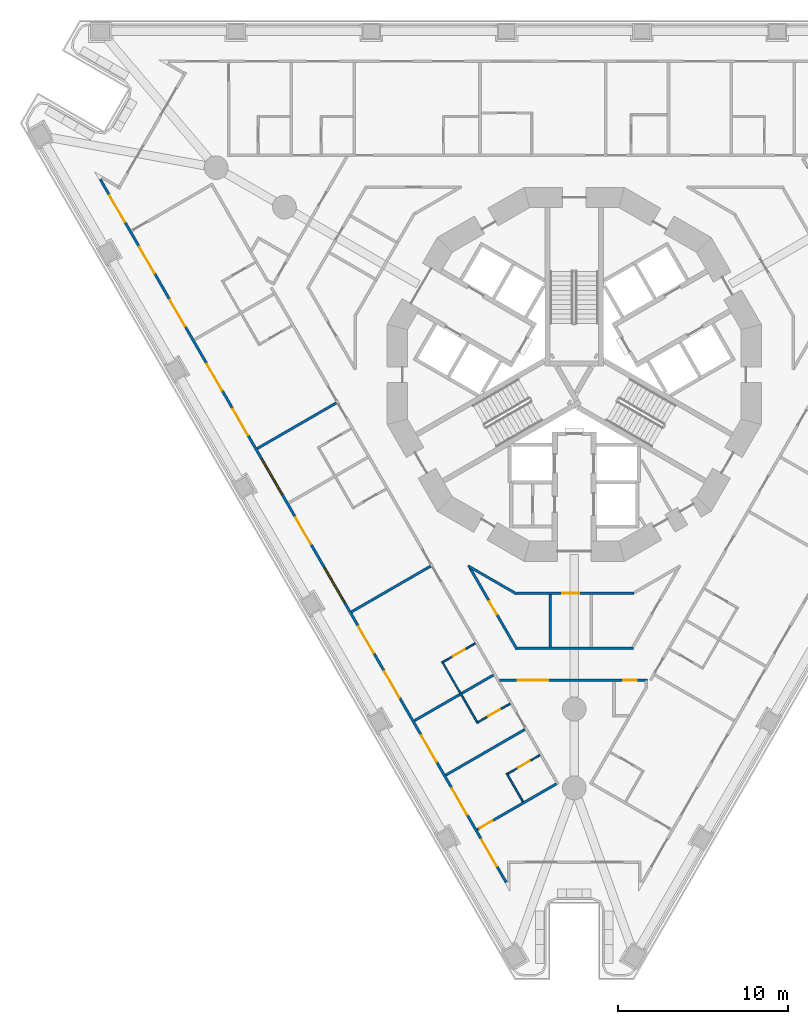
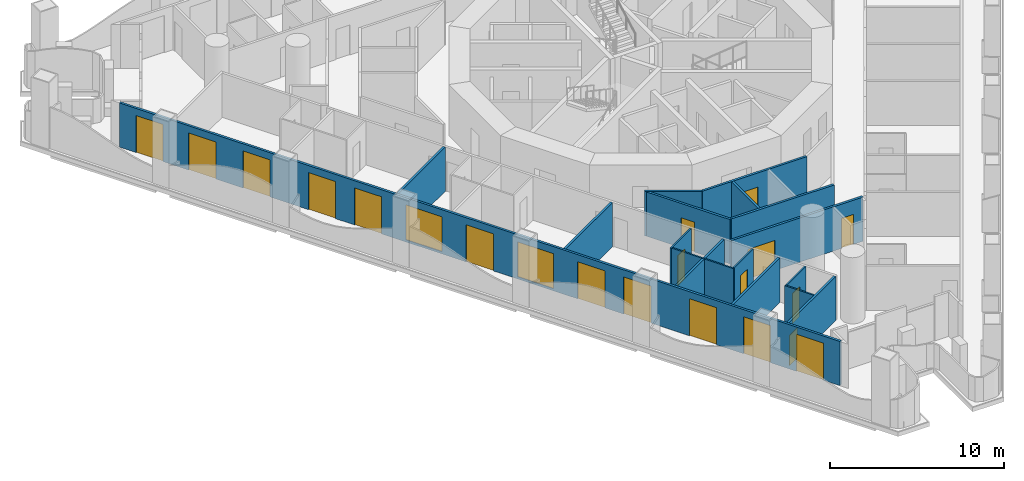
# One storey, part 2 of 19: 19 doors, 17 walls, 2 windows, 21 openings.
"""IFC4 building model written with IfcOpenShell, lengths in metres."""

from ifc_helpers import new_model, si_unit, direction, frame, frame_2d, origin, place, context, subcontext, project, spatial, polyline, rectangle, outline, extrude, material, layer, layer_set, type_object, element, fill, save


model = new_model("IFC4")

# Units and contexts
model_context = context("Model", 3, precision=1e-05, world=origin(), true_north=direction((0.0, 1.0)))
body_context = subcontext(model_context, "Body", "Model", "MODEL_VIEW")
ifc_project = project(units=[si_unit("LENGTHUNIT", "METRE"), si_unit("AREAUNIT", "SQUARE_METRE"), si_unit("VOLUMEUNIT", "CUBIC_METRE"), si_unit("PLANEANGLEUNIT", "RADIAN"), si_unit("MASSUNIT", "GRAM", prefix="KILO")], contexts=[model_context])

# Site, building, storey
site_placement = place(None, origin())
site = spatial("IfcSite", under=ifc_project, at=site_placement, CompositionType="ELEMENT")
building_placement = place(site_placement, origin())
building = spatial("IfcBuilding", under=site, at=building_placement, Name="Trine Commons Tower", CompositionType="ELEMENT")
storey_placement = place(building_placement, frame((0.0, 0.0, 42.300048828125)))
storey = spatial("IfcBuildingStorey", under=building, at=storey_placement, Name="L09", CompositionType="ELEMENT", Elevation=42.300048828125)

# Wall, openings, windows, doors
ifc_material_1 = material(Name="Aluminium-framed insulated wall panel", Category="aluminium")
ifc_layer_1 = layer(ifc_material_1, 0.14990234375)
ifc_layer_set_1 = layer_set([ifc_layer_1], Name="Aluminium-framed insulated wall panel")
wall_type_1 = type_object("IfcWallType", Name="Glazed frame wall 150, EI 60", PredefinedType="SOLIDWALL", material=ifc_layer_set_1)
wall_1_placement = place(storey_placement, frame((76.069580078125, 32.46826171875, 0.0), z_axis=(0.0, 0.0, 1.0), x_axis=(-0.499998600735, 0.866026211649, 0.0)))
wall_1 = element("IfcWall", 1, at=wall_1_placement, inside=storey, type_object=wall_type_1, Name="Glazed frame wall F3", PredefinedType="SOLIDWALL", context=body_context, shape_type="SweptSolid", body=[
    extrude(outline(polyline([(0.1494140625, 0.074951171875), (0.1494140625, -0.074951171875), (47.93701171875, -0.074951171875), (47.93701171875, 0.074951171875), (0.1494140625, 0.074951171875)])), origin(), (0.0, 0.0, 1.0), 3.099853515625),
])
opening_1_placement = place(wall_1_placement, frame((1.24951171875, 0.0, 0.0)))
opening_1 = element("IfcOpeningElement", 2, at=opening_1_placement, cuts=wall_1, Name="Opening BD-1F3-01", PredefinedType="OPENING", context=body_context, shape_type="SweptSolid", body=[
    extrude(rectangle(XDim=1.800048828125, YDim=2.60009765625, at=frame_2d((0.89990234375, 1.300048828125))), frame((0.0, 0.0849609375, 0.0), z_axis=(0.0, -1.0, 0.0), x_axis=(1.0, 0.0, 0.0)), (0.0, 0.0, 1.0), 0.169921875),
])
opening_2_placement = place(wall_1_placement, frame((4.748291015625, 0.0, 0.0)))
opening_2 = element("IfcOpeningElement", 3, at=opening_2_placement, cuts=wall_1, Name="Opening BD-1F3-02", PredefinedType="OPENING", context=body_context, shape_type="SweptSolid", body=[
    extrude(rectangle(XDim=1.800048828125, YDim=2.60009765625, at=frame_2d((0.89990234375, 1.300048828125))), frame((0.0, 0.0849609375, 0.0), z_axis=(0.0, -1.0, 0.0), x_axis=(1.0, 0.0, 0.0)), (0.0, 0.0, 1.0), 0.169921875),
])
opening_3_placement = place(wall_1_placement, frame((8.347412109375, 0.0, 0.0)))
opening_3 = element("IfcOpeningElement", 4, at=opening_3_placement, cuts=wall_1, Name="Opening BD-1F3-03", PredefinedType="OPENING", context=body_context, shape_type="SweptSolid", body=[
    extrude(rectangle(XDim=1.800048828125, YDim=2.60009765625, at=frame_2d((0.89990234375, 1.300048828125))), frame((0.0, 0.0849609375, 0.0), z_axis=(0.0, -1.0, 0.0), x_axis=(1.0, 0.0, 0.0)), (0.0, 0.0, 1.0), 0.169921875),
])
opening_4_placement = place(wall_1_placement, frame((12.69580078125, 0.0, 0.0)))
opening_4 = element("IfcOpeningElement", 5, at=opening_4_placement, cuts=wall_1, Name="Opening BD-1F3-04", PredefinedType="OPENING", context=body_context, shape_type="SweptSolid", body=[
    extrude(rectangle(XDim=1.800048828125, YDim=2.60009765625, at=frame_2d((0.89990234375, 1.300048828125))), frame((0.0, 0.0849609375, 0.0), z_axis=(0.0, -1.0, 0.0), x_axis=(1.0, 0.0, 0.0)), (0.0, 0.0, 1.0), 0.169921875),
])
opening_5_placement = place(wall_1_placement, frame((15.7451171875, 0.0, 0.0)))
opening_5 = element("IfcOpeningElement", 6, at=opening_5_placement, cuts=wall_1, Name="Opening BD-1F3-05", PredefinedType="OPENING", context=body_context, shape_type="SweptSolid", body=[
    extrude(rectangle(XDim=1.800048828125, YDim=2.60009765625, at=frame_2d((0.89990234375, 1.300048828125))), frame((0.0, 0.0849609375, 0.0), z_axis=(0.0, -1.0, 0.0), x_axis=(1.0, 0.0, 0.0)), (0.0, 0.0, 1.0), 0.169921875),
])
opening_6_placement = place(wall_1_placement, frame((19.14404296875, 0.0, 0.14990234375)))
opening_6 = element("IfcOpeningElement", 7, at=opening_6_placement, cuts=wall_1, Name="Opening W-1F3-06", PredefinedType="OPENING", context=body_context, shape_type="SweptSolid", body=[
    extrude(rectangle(XDim=2.39990234375, YDim=2.449951171875, at=frame_2d((1.199951171875, 1.22509765625))), frame((0.0, 0.0849609375, 0.0), z_axis=(0.0, -1.0, 0.0), x_axis=(1.0, 0.0, 0.0)), (0.0, 0.0, 1.0), 0.169921875),
])
opening_7_placement = place(wall_1_placement, frame((23.142822265625, 0.0, 0.0)))
opening_7 = element("IfcOpeningElement", 8, at=opening_7_placement, cuts=wall_1, Name="Opening BD-1F3-07", PredefinedType="OPENING", context=body_context, shape_type="SweptSolid", body=[
    extrude(rectangle(XDim=1.800048828125, YDim=2.60009765625, at=frame_2d((0.89990234375, 1.300048828125))), frame((0.0, 0.0849609375, 0.0), z_axis=(0.0, -1.0, 0.0), x_axis=(1.0, 0.0, 0.0)), (0.0, 0.0, 1.0), 0.169921875),
])
opening_8_placement = place(wall_1_placement, frame((26.541748046875, 0.0, 0.14990234375)))
opening_8 = element("IfcOpeningElement", 9, at=opening_8_placement, cuts=wall_1, Name="Opening W-1F3-08", PredefinedType="OPENING", context=body_context, shape_type="SweptSolid", body=[
    extrude(rectangle(XDim=2.39990234375, YDim=2.449951171875, at=frame_2d((1.199951171875, 1.22509765625))), frame((0.0, 0.0849609375, 0.0), z_axis=(0.0, -1.0, 0.0), x_axis=(1.0, 0.0, 0.0)), (0.0, 0.0, 1.0), 0.169921875),
])
opening_9_placement = place(wall_1_placement, frame((30.54052734375, 0.0, 0.0)))
opening_9 = element("IfcOpeningElement", 10, at=opening_9_placement, cuts=wall_1, Name="Opening BD-1F3-09", PredefinedType="OPENING", context=body_context, shape_type="SweptSolid", body=[
    extrude(rectangle(XDim=1.800048828125, YDim=2.60009765625, at=frame_2d((0.89990234375, 1.300048828125))), frame((0.0, 0.0849609375, 0.0), z_axis=(0.0, -1.0, 0.0), x_axis=(1.0, 0.0, 0.0)), (0.0, 0.0, 1.0), 0.169921875),
])
opening_10_placement = place(wall_1_placement, frame((33.590087890625, 0.0, 0.0)))
opening_10 = element("IfcOpeningElement", 11, at=opening_10_placement, cuts=wall_1, Name="Opening BD-1F3-10", PredefinedType="OPENING", context=body_context, shape_type="SweptSolid", body=[
    extrude(rectangle(XDim=1.800048828125, YDim=2.60009765625, at=frame_2d((0.89990234375, 1.300048828125))), frame((0.0, 0.0849609375, 0.0), z_axis=(0.0, -1.0, 0.0), x_axis=(1.0, 0.0, 0.0)), (0.0, 0.0, 1.0), 0.169921875),
])
opening_11_placement = place(wall_1_placement, frame((37.9384765625, 0.0, 0.0)))
opening_11 = element("IfcOpeningElement", 12, at=opening_11_placement, cuts=wall_1, Name="Opening BD-1F3-11", PredefinedType="OPENING", context=body_context, shape_type="SweptSolid", body=[
    extrude(rectangle(XDim=1.800048828125, YDim=2.60009765625, at=frame_2d((0.89990234375, 1.300048828125))), frame((0.0, 0.0849609375, 0.0), z_axis=(0.0, -1.0, 0.0), x_axis=(1.0, 0.0, 0.0)), (0.0, 0.0, 1.0), 0.169921875),
])
opening_12_placement = place(wall_1_placement, frame((41.537353515625, 0.0, 0.0)))
opening_12 = element("IfcOpeningElement", 13, at=opening_12_placement, cuts=wall_1, Name="Opening BD-1F3-12", PredefinedType="OPENING", context=body_context, shape_type="SweptSolid", body=[
    extrude(rectangle(XDim=1.800048828125, YDim=2.60009765625, at=frame_2d((0.89990234375, 1.300048828125))), frame((0.0, 0.0849609375, 0.0), z_axis=(0.0, -1.0, 0.0), x_axis=(1.0, 0.0, 0.0)), (0.0, 0.0, 1.0), 0.169921875),
])
opening_13_placement = place(wall_1_placement, frame((45.036376953125, 0.0, 0.0)))
opening_13 = element("IfcOpeningElement", 14, at=opening_13_placement, cuts=wall_1, Name="Opening BD-1F3-13", PredefinedType="OPENING", context=body_context, shape_type="SweptSolid", body=[
    extrude(rectangle(XDim=1.800048828125, YDim=2.60009765625, at=frame_2d((0.89990234375, 1.300048828125))), frame((0.0, 0.0849609375, 0.0), z_axis=(0.0, -1.0, 0.0), x_axis=(1.0, 0.0, 0.0)), (0.0, 0.0, 1.0), 0.169921875),
])
ifc_material_2 = material(Name="Anodised aluminium frame with double glazing", Category="aluminium")
window_type = type_object("IfcWindowType", Name="Fixed window 2400x2450", PartitioningType="SINGLE_PANEL", PredefinedType="WINDOW", material=ifc_material_2)
window_1_placement = place(opening_6_placement, origin())
window_1 = element("IfcWindow", 15, at=window_1_placement, inside=storey, type_object=window_type, Name="Window F3 6", OverallHeight=2.449951171875, OverallWidth=2.39990234375, PartitioningType="SINGLE_PANEL", PredefinedType="WINDOW", context=body_context, shape_type="SweptSolid", body=[
    extrude(rectangle(XDim=2.39990234375, YDim=2.449951171875, at=frame_2d((1.199951171875, 1.22509765625))), frame((0.0, 0.030029296875, 0.0), z_axis=(0.0, -1.0, 0.0), x_axis=(1.0, 0.0, 0.0)), (0.0, 0.0, 1.0), 0.06005859375),
])
fill(opening_6, window_1)
window_2_placement = place(opening_8_placement, origin())
window_2 = element("IfcWindow", 16, at=window_2_placement, inside=storey, type_object=window_type, Name="Window F3 8", OverallHeight=2.449951171875, OverallWidth=2.39990234375, PartitioningType="SINGLE_PANEL", PredefinedType="WINDOW", context=body_context, shape_type="SweptSolid", body=[
    extrude(rectangle(XDim=2.39990234375, YDim=2.449951171875, at=frame_2d((1.199951171875, 1.22509765625))), frame((0.0, 0.030029296875, 0.0), z_axis=(0.0, -1.0, 0.0), x_axis=(1.0, 0.0, 0.0)), (0.0, 0.0, 1.0), 0.06005859375),
])
fill(opening_8, window_2)
door_type_1 = type_object("IfcDoorType", Name="Sliding loggia door 1800x2600", OperationType="SLIDING_TO_LEFT", PredefinedType="DOOR", material=ifc_material_2)
door_1_placement = place(opening_1_placement, origin())
door_1 = element("IfcDoor", 17, at=door_1_placement, inside=storey, type_object=door_type_1, Name="Loggia door F3 1", OperationType="SLIDING_TO_LEFT", OverallHeight=2.60009765625, OverallWidth=1.800048828125, PredefinedType="DOOR", context=body_context, shape_type="SweptSolid", body=[
    extrude(rectangle(XDim=1.800048828125, YDim=2.60009765625, at=frame_2d((0.89990234375, 1.300048828125))), frame((0.0, 0.02490234375, 0.0), z_axis=(0.0, -1.0, 0.0), x_axis=(1.0, 0.0, 0.0)), (0.0, 0.0, 1.0), 0.050048828125),
])
fill(opening_1, door_1)
door_2_placement = place(opening_2_placement, origin())
door_2 = element("IfcDoor", 18, at=door_2_placement, inside=storey, type_object=door_type_1, Name="Loggia door F3 2", OperationType="SLIDING_TO_LEFT", OverallHeight=2.60009765625, OverallWidth=1.800048828125, PredefinedType="DOOR", context=body_context, shape_type="SweptSolid", body=[
    extrude(rectangle(XDim=1.800048828125, YDim=2.60009765625, at=frame_2d((0.89990234375, 1.300048828125))), frame((0.0, 0.02490234375, 0.0), z_axis=(0.0, -1.0, 0.0), x_axis=(1.0, 0.0, 0.0)), (0.0, 0.0, 1.0), 0.050048828125),
])
fill(opening_2, door_2)
door_3_placement = place(opening_3_placement, origin())
door_3 = element("IfcDoor", 19, at=door_3_placement, inside=storey, type_object=door_type_1, Name="Loggia door F3 3", OperationType="SLIDING_TO_LEFT", OverallHeight=2.60009765625, OverallWidth=1.800048828125, PredefinedType="DOOR", context=body_context, shape_type="SweptSolid", body=[
    extrude(rectangle(XDim=1.800048828125, YDim=2.60009765625, at=frame_2d((0.89990234375, 1.300048828125))), frame((0.0, 0.02490234375, 0.0), z_axis=(0.0, -1.0, 0.0), x_axis=(1.0, 0.0, 0.0)), (0.0, 0.0, 1.0), 0.050048828125),
])
fill(opening_3, door_3)
door_4_placement = place(opening_4_placement, origin())
door_4 = element("IfcDoor", 20, at=door_4_placement, inside=storey, type_object=door_type_1, Name="Loggia door F3 4", OperationType="SLIDING_TO_LEFT", OverallHeight=2.60009765625, OverallWidth=1.800048828125, PredefinedType="DOOR", context=body_context, shape_type="SweptSolid", body=[
    extrude(rectangle(XDim=1.800048828125, YDim=2.60009765625, at=frame_2d((0.89990234375, 1.300048828125))), frame((0.0, 0.02490234375, 0.0), z_axis=(0.0, -1.0, 0.0), x_axis=(1.0, 0.0, 0.0)), (0.0, 0.0, 1.0), 0.050048828125),
])
fill(opening_4, door_4)
door_5_placement = place(opening_5_placement, origin())
door_5 = element("IfcDoor", 21, at=door_5_placement, inside=storey, type_object=door_type_1, Name="Loggia door F3 5", OperationType="SLIDING_TO_LEFT", OverallHeight=2.60009765625, OverallWidth=1.800048828125, PredefinedType="DOOR", context=body_context, shape_type="SweptSolid", body=[
    extrude(rectangle(XDim=1.800048828125, YDim=2.60009765625, at=frame_2d((0.89990234375, 1.300048828125))), frame((0.0, 0.02490234375, 0.0), z_axis=(0.0, -1.0, 0.0), x_axis=(1.0, 0.0, 0.0)), (0.0, 0.0, 1.0), 0.050048828125),
])
fill(opening_5, door_5)
door_6_placement = place(opening_7_placement, origin())
door_6 = element("IfcDoor", 22, at=door_6_placement, inside=storey, type_object=door_type_1, Name="Loggia door F3 7", OperationType="SLIDING_TO_LEFT", OverallHeight=2.60009765625, OverallWidth=1.800048828125, PredefinedType="DOOR", context=body_context, shape_type="SweptSolid", body=[
    extrude(rectangle(XDim=1.800048828125, YDim=2.60009765625, at=frame_2d((0.89990234375, 1.300048828125))), frame((0.0, 0.02490234375, 0.0), z_axis=(0.0, -1.0, 0.0), x_axis=(1.0, 0.0, 0.0)), (0.0, 0.0, 1.0), 0.050048828125),
])
fill(opening_7, door_6)
door_7_placement = place(opening_9_placement, origin())
door_7 = element("IfcDoor", 23, at=door_7_placement, inside=storey, type_object=door_type_1, Name="Loggia door F3 9", OperationType="SLIDING_TO_LEFT", OverallHeight=2.60009765625, OverallWidth=1.800048828125, PredefinedType="DOOR", context=body_context, shape_type="SweptSolid", body=[
    extrude(rectangle(XDim=1.800048828125, YDim=2.60009765625, at=frame_2d((0.89990234375, 1.300048828125))), frame((0.0, 0.02490234375, 0.0), z_axis=(0.0, -1.0, 0.0), x_axis=(1.0, 0.0, 0.0)), (0.0, 0.0, 1.0), 0.050048828125),
])
fill(opening_9, door_7)
door_8_placement = place(opening_10_placement, origin())
door_8 = element("IfcDoor", 24, at=door_8_placement, inside=storey, type_object=door_type_1, Name="Loggia door F3 10", OperationType="SLIDING_TO_LEFT", OverallHeight=2.60009765625, OverallWidth=1.800048828125, PredefinedType="DOOR", context=body_context, shape_type="SweptSolid", body=[
    extrude(rectangle(XDim=1.800048828125, YDim=2.60009765625, at=frame_2d((0.89990234375, 1.300048828125))), frame((0.0, 0.02490234375, 0.0), z_axis=(0.0, -1.0, 0.0), x_axis=(1.0, 0.0, 0.0)), (0.0, 0.0, 1.0), 0.050048828125),
])
fill(opening_10, door_8)
door_9_placement = place(opening_11_placement, origin())
door_9 = element("IfcDoor", 25, at=door_9_placement, inside=storey, type_object=door_type_1, Name="Loggia door F3 11", OperationType="SLIDING_TO_LEFT", OverallHeight=2.60009765625, OverallWidth=1.800048828125, PredefinedType="DOOR", context=body_context, shape_type="SweptSolid", body=[
    extrude(rectangle(XDim=1.800048828125, YDim=2.60009765625, at=frame_2d((0.89990234375, 1.300048828125))), frame((0.0, 0.02490234375, 0.0), z_axis=(0.0, -1.0, 0.0), x_axis=(1.0, 0.0, 0.0)), (0.0, 0.0, 1.0), 0.050048828125),
])
fill(opening_11, door_9)
door_10_placement = place(opening_12_placement, origin())
door_10 = element("IfcDoor", 26, at=door_10_placement, inside=storey, type_object=door_type_1, Name="Loggia door F3 12", OperationType="SLIDING_TO_LEFT", OverallHeight=2.60009765625, OverallWidth=1.800048828125, PredefinedType="DOOR", context=body_context, shape_type="SweptSolid", body=[
    extrude(rectangle(XDim=1.800048828125, YDim=2.60009765625, at=frame_2d((0.89990234375, 1.300048828125))), frame((0.0, 0.02490234375, 0.0), z_axis=(0.0, -1.0, 0.0), x_axis=(1.0, 0.0, 0.0)), (0.0, 0.0, 1.0), 0.050048828125),
])
fill(opening_12, door_10)
door_11_placement = place(opening_13_placement, origin())
door_11 = element("IfcDoor", 27, at=door_11_placement, inside=storey, type_object=door_type_1, Name="Loggia door F3 13", OperationType="SLIDING_TO_LEFT", OverallHeight=2.60009765625, OverallWidth=1.800048828125, PredefinedType="DOOR", context=body_context, shape_type="SweptSolid", body=[
    extrude(rectangle(XDim=1.800048828125, YDim=2.60009765625, at=frame_2d((0.89990234375, 1.300048828125))), frame((0.0, 0.02490234375, 0.0), z_axis=(0.0, -1.0, 0.0), x_axis=(1.0, 0.0, 0.0)), (0.0, 0.0, 1.0), 0.050048828125),
])
fill(opening_13, door_11)

# Walls
ifc_material_3 = material(Name="Gypsum plasterboard on steel stud", Category="steel")
ifc_layer_2 = layer(ifc_material_3, 0.14990234375)
ifc_layer_set_2 = layer_set([ifc_layer_2], Name="Gypsum plasterboard on steel stud")
wall_type_2 = type_object("IfcWallType", Name="Unit and corridor wall 150 mm, EI 60", PredefinedType="PARTITIONING", material=ifc_layer_set_2)
wall_2_placement = place(storey_placement, frame((61.338623046875, 58.133056640625, 0.0), z_axis=(0.0, 0.0, 1.0), x_axis=(0.866057962423, 0.499943602543, 0.0)))
element("IfcWall", 28, at=wall_2_placement, inside=storey, type_object=wall_type_2, Name="Partition 011", PredefinedType="PARTITIONING", context=body_context, shape_type="SweptSolid", body=[
    extrude(rectangle(XDim=5.38330078125, YDim=0.14990234375, at=frame_2d((2.691650390625, 0.0))), origin(), (0.0, 0.0, 1.0), 3.099853515625),
])
for number, where, z_axis, x_axis, name in (
    (29, (66.8876953125, 48.52294921875, 0.0), (0.0, 0.0, 1.0), (0.865992970276, 0.500056172277, 0.0), "Partition 034"),
    (30, (70.586669921875, 42.115966796875, 0.0), (0.0, 0.0, 1.0), (0.865992970276, 0.500056172277, 0.0), "Partition 042"),
):
    element("IfcWall", number, at=place(storey_placement, frame(where, z_axis=z_axis, x_axis=x_axis)), inside=storey, type_object=wall_type_2, Name=name, PredefinedType="PARTITIONING", context=body_context, shape_type="SweptSolid", body=[
        extrude(rectangle(XDim=5.3828125, YDim=0.14990234375, at=frame_2d((2.69140625, 0.0))), origin(), (0.0, 0.0, 1.0), 3.099853515625),
    ])
wall_3_placement = place(storey_placement, frame((72.435546875, 38.912109375, 0.0), z_axis=(0.0, 0.0, 1.0), x_axis=(0.86599075498, 0.500060008688, 0.0)))
element("IfcWall", 31, at=wall_3_placement, inside=storey, type_object=wall_type_2, Name="Partition 048", PredefinedType="PARTITIONING", context=body_context, shape_type="SweptSolid", body=[
    extrude(rectangle(XDim=5.384033203125, YDim=0.14990234375, at=frame_2d((2.69189453125, 0.0))), origin(), (0.0, 0.0, 1.0), 3.099853515625),
])
wall_4_placement = place(storey_placement, frame((73.74609375, 51.23046875, 0.0), z_axis=(0.0, 0.0, 1.0), x_axis=(0.865959508231, -0.500114117081, 0.0)))
element("IfcWall", 32, at=wall_4_placement, inside=storey, type_object=wall_type_2, Name="Partition 049", PredefinedType="PARTITIONING", context=body_context, shape_type="SweptSolid", body=[
    extrude(rectangle(XDim=3.309326171875, YDim=0.14990234375, at=frame_2d((1.65478515625, 0.0))), origin(), (0.0, 0.0, 1.0), 3.099853515625),
])

# Wall, opening, door
wall_5_placement = place(storey_placement, frame((73.8515625, 51.1259765625, 0.0), z_axis=(0.0, 0.0, 1.0), x_axis=(0.500036793739, -0.866004159867, 0.0)))
wall_5 = element("IfcWall", 33, at=wall_5_placement, inside=storey, type_object=wall_type_2, Name="Partition 050", PredefinedType="PARTITIONING", context=body_context, shape_type="SweptSolid", body=[
    extrude(rectangle(XDim=5.5576171875, YDim=0.14990234375, at=frame_2d((2.77880859375, 0.0))), origin(), (0.0, 0.0, 1.0), 3.099853515625),
])
opening_14_placement = place(wall_5_placement, frame((2.29150390625, 0.0, 0.0)))
opening_14 = element("IfcOpeningElement", 34, at=opening_14_placement, cuts=wall_5, Name="Opening D-1B33", PredefinedType="OPENING", context=body_context, shape_type="SweptSolid", body=[
    extrude(rectangle(XDim=0.89990234375, YDim=2.10009765625, at=frame_2d((0.449951171875, 1.050048828125))), frame((0.0, 0.0849609375, 0.0), z_axis=(0.0, -1.0, 0.0), x_axis=(1.0, 0.0, 0.0)), (0.0, 0.0, 1.0), 0.169921875),
])
ifc_material_4 = material(Name="Timber fire door set", Category="wood")
door_type_2 = type_object("IfcDoorType", Name="Service door 900 x 2100, FD30S", OperationType="NOTDEFINED", PredefinedType="DOOR", material=ifc_material_4)
door_12_placement = place(opening_14_placement, origin())
door_12 = element("IfcDoor", 35, at=door_12_placement, inside=storey, type_object=door_type_2, Name="Door D-1B33", OperationType="SINGLE_SWING_LEFT", OverallHeight=2.10009765625, OverallWidth=0.89990234375, PredefinedType="DOOR", context=body_context, shape_type="SweptSolid", body=[
    extrude(rectangle(XDim=0.89990234375, YDim=2.10009765625, at=frame_2d((0.449951171875, 1.050048828125))), frame((0.0, 0.02490234375, 0.0), z_axis=(0.0, -1.0, 0.0), x_axis=(1.0, 0.0, 0.0)), (0.0, 0.0, 1.0), 0.050048828125),
])
fill(opening_14, door_12)

wall_6_placement = place(storey_placement, frame((74.28564453125, 35.708984375, 0.0), z_axis=(0.0, 0.0, 1.0), x_axis=(0.866012611495, 0.500022156241, 0.0)))
wall_6 = element("IfcWall", 36, at=wall_6_placement, inside=storey, type_object=wall_type_2, Name="Partition 051", PredefinedType="PARTITIONING", context=body_context, shape_type="SweptSolid", body=[
    extrude(rectangle(XDim=5.382568359375, YDim=0.14990234375, at=frame_2d((2.69140625, 0.0))), origin(), (0.0, 0.0, 1.0), 3.099853515625),
])
opening_15_placement = place(wall_6_placement, frame((0.14990234375, 0.0, 0.0)))
opening_15 = element("IfcOpeningElement", 37, at=opening_15_placement, cuts=wall_6, Name="Opening D-1B23", PredefinedType="OPENING", context=body_context, shape_type="SweptSolid", body=[
    extrude(rectangle(XDim=0.89990234375, YDim=2.10009765625, at=frame_2d((0.449951171875, 1.050048828125))), frame((0.0, 0.0849609375, 0.0), z_axis=(0.0, -1.0, 0.0), x_axis=(1.0, 0.0, 0.0)), (0.0, 0.0, 1.0), 0.169921875),
])
door_type_3 = type_object("IfcDoorType", Name="Bedroom door 900 x 2100, FD30S", OperationType="NOTDEFINED", PredefinedType="DOOR", material=ifc_material_4)
door_13_placement = place(opening_15_placement, origin())
door_13 = element("IfcDoor", 38, at=door_13_placement, inside=storey, type_object=door_type_3, Name="Door D-1B23", OperationType="SINGLE_SWING_LEFT", OverallHeight=2.10009765625, OverallWidth=0.89990234375, PredefinedType="DOOR", context=body_context, shape_type="SweptSolid", body=[
    extrude(rectangle(XDim=0.89990234375, YDim=2.10009765625, at=frame_2d((0.449951171875, 1.050048828125))), frame((0.0, 0.02490234375, 0.0), z_axis=(0.0, -1.0, 0.0), x_axis=(1.0, 0.0, 0.0)), (0.0, 0.0, 1.0), 0.050048828125),
])
fill(opening_15, door_13)

# Wall, openings, doors
wall_7_placement = place(storey_placement, frame((75.5859375, 44.5029296875, 0.0), z_axis=(0.0, 0.0, 1.0), x_axis=(1.0, 0.0, 0.0)))
wall_7 = element("IfcWall", 39, at=wall_7_placement, inside=storey, type_object=wall_type_2, Name="Partition 055", PredefinedType="PARTITIONING", context=body_context, shape_type="SweptSolid", body=[
    extrude(rectangle(XDim=8.733154296875, YDim=0.14990234375, at=frame_2d((4.36669921875, 0.0))), origin(), (0.0, 0.0, 1.0), 3.099853515625),
])
opening_16_placement = place(wall_7_placement, frame((1.080810546875, 0.0, 0.0)))
opening_16 = element("IfcOpeningElement", 40, at=opening_16_placement, cuts=wall_7, Name="Opening D-1B02", PredefinedType="OPENING", context=body_context, shape_type="SweptSolid", body=[
    extrude(rectangle(XDim=1.800048828125, YDim=2.10009765625, at=frame_2d((0.89990234375, 1.050048828125))), frame((0.0, 0.0849609375, 0.0), z_axis=(0.0, -1.0, 0.0), x_axis=(1.0, 0.0, 0.0)), (0.0, 0.0, 1.0), 0.169921875),
])
opening_17_placement = place(wall_7_placement, frame((7.303955078125, 0.0, 0.0)))
opening_17 = element("IfcOpeningElement", 41, at=opening_17_placement, cuts=wall_7, Name="Opening D-1B05", PredefinedType="OPENING", context=body_context, shape_type="SweptSolid", body=[
    extrude(rectangle(XDim=0.800048828125, YDim=2.10009765625, at=frame_2d((0.39990234375, 1.050048828125))), frame((0.0, 0.0849609375, 0.0), z_axis=(0.0, -1.0, 0.0), x_axis=(1.0, 0.0, 0.0)), (0.0, 0.0, 1.0), 0.169921875),
])
door_type_4 = type_object("IfcDoorType", Name="Cluster entrance door 1800 x 2100, double leaf, FD30S", OperationType="DOUBLE_DOOR_DOUBLE_SWING", PredefinedType="DOOR", material=ifc_material_4)
door_14_placement = place(opening_16_placement, frame((1.800048828125, 0.0, 0.0), z_axis=(0.0, 0.0, 1.0), x_axis=(-1.0, 0.0, 0.0)))
door_14 = element("IfcDoor", 42, at=door_14_placement, inside=storey, type_object=door_type_4, Name="Door D-1B02", OperationType="DOUBLE_DOOR_DOUBLE_SWING", OverallHeight=2.10009765625, OverallWidth=1.800048828125, PredefinedType="DOOR", context=body_context, shape_type="SweptSolid", body=[
    extrude(rectangle(XDim=1.800048828125, YDim=2.10009765625, at=frame_2d((0.89990234375, 1.050048828125))), frame((0.0, 0.02490234375, 0.0), z_axis=(0.0, -1.0, 0.0), x_axis=(1.0, 0.0, 0.0)), (0.0, 0.0, 1.0), 0.050048828125),
])
fill(opening_16, door_14)
ifc_material_5 = material(Name="Painted timber", Category="wood")
door_type_5 = type_object("IfcDoorType", Name="Toilet door 800 x 2100, NOT RATED", OperationType="NOTDEFINED", PredefinedType="DOOR", material=ifc_material_5)
door_15_placement = place(opening_17_placement, frame((0.800048828125, 0.0, 0.0), z_axis=(0.0, 0.0, 1.0), x_axis=(-1.0, 0.0, 0.0)))
door_15 = element("IfcDoor", 43, at=door_15_placement, inside=storey, type_object=door_type_5, Name="Door D-1B05", OperationType="SINGLE_SWING_LEFT", OverallHeight=2.10009765625, OverallWidth=0.800048828125, PredefinedType="DOOR", context=body_context, shape_type="SweptSolid", body=[
    extrude(rectangle(XDim=0.800048828125, YDim=2.10009765625, at=frame_2d((0.39990234375, 1.050048828125))), frame((0.0, 0.02490234375, 0.0), z_axis=(0.0, -1.0, 0.0), x_axis=(1.0, 0.0, 0.0)), (0.0, 0.0, 1.0), 0.050048828125),
])
fill(opening_17, door_15)

# Wall, opening, door
wall_8_placement = place(storey_placement, frame((76.6220703125, 49.613037109375, 0.0), z_axis=(0.0, 0.0, 1.0), x_axis=(1.0, 0.0, 0.0)))
wall_8 = element("IfcWall", 44, at=wall_8_placement, inside=storey, type_object=wall_type_2, Name="Partition 058", PredefinedType="PARTITIONING", context=body_context, shape_type="SweptSolid", body=[
    extrude(rectangle(XDim=6.906005859375, YDim=0.14990234375, at=frame_2d((3.453125, 0.0))), origin(), (0.0, 0.0, 1.0), 3.099853515625),
])
opening_18_placement = place(wall_8_placement, frame((2.677978515625, 0.0, 0.0)))
opening_18 = element("IfcOpeningElement", 45, at=opening_18_placement, cuts=wall_8, Name="Opening D-1B36", PredefinedType="OPENING", context=body_context, shape_type="SweptSolid", body=[
    extrude(rectangle(XDim=1.0, YDim=2.10009765625, at=frame_2d((0.5, 1.050048828125))), frame((0.0, 0.0849609375, 0.0), z_axis=(0.0, -1.0, 0.0), x_axis=(1.0, 0.0, 0.0)), (0.0, 0.0, 1.0), 0.169921875),
])
door_type_6 = type_object("IfcDoorType", Name="Toilet door 1000 x 2100, NOT RATED", OperationType="NOTDEFINED", PredefinedType="DOOR", material=ifc_material_5)
door_16_placement = place(opening_18_placement, frame((1.0, 0.0, 0.0), z_axis=(0.0, 0.0, 1.0), x_axis=(-1.0, 0.0, 0.0)))
door_16 = element("IfcDoor", 46, at=door_16_placement, inside=storey, type_object=door_type_6, Name="Door D-1B36", OperationType="SINGLE_SWING_RIGHT", OverallHeight=2.10009765625, OverallWidth=1.0, PredefinedType="DOOR", context=body_context, shape_type="SweptSolid", body=[
    extrude(rectangle(XDim=1.0, YDim=2.10009765625, at=frame_2d((0.5, 1.050048828125))), frame((0.0, 0.02490234375, 0.0), z_axis=(0.0, -1.0, 0.0), x_axis=(1.0, 0.0, 0.0)), (0.0, 0.0, 1.0), 0.050048828125),
])
fill(opening_18, door_16)

# Walls
wall_9_placement = place(storey_placement, frame((76.66796875, 46.3779296875, 0.0), z_axis=(0.0, 0.0, 1.0), x_axis=(1.0, 0.0, 0.0)))
element("IfcWall", 47, at=wall_9_placement, inside=storey, type_object=wall_type_2, Name="Partition 059", PredefinedType="PARTITIONING", context=body_context, shape_type="SweptSolid", body=[
    extrude(rectangle(XDim=6.81396484375, YDim=0.14990234375, at=frame_2d((3.406982421875, 0.0))), origin(), (0.0, 0.0, 1.0), 3.099853515625),
])
wall_10_placement = place(storey_placement, frame((78.60009765625, 46.452880859375, 0.0), z_axis=(0.0, 0.0, 1.0), x_axis=(0.0, 1.0, 0.0)))
element("IfcWall", 48, at=wall_10_placement, inside=storey, type_object=wall_type_2, Name="Partition 061", PredefinedType="PARTITIONING", context=body_context, shape_type="SweptSolid", body=[
    extrude(rectangle(XDim=3.085205078125, YDim=0.14990234375, at=frame_2d((1.54248046875, 0.0))), origin(), (0.0, 0.0, 1.0), 3.099853515625),
])

# Wall, opening, door
ifc_layer_3 = layer(ifc_material_3, 0.10009765625)
ifc_layer_set_3 = layer_set([ifc_layer_3], Name="Gypsum plasterboard on steel stud")
wall_type_3 = type_object("IfcWallType", Name="Unit partition 100 mm, no rating", PredefinedType="PARTITIONING", material=ifc_layer_set_3)
wall_11_placement = place(storey_placement, frame((72.20263671875, 45.531982421875, 0.0), z_axis=(0.0, 0.0, 1.0), x_axis=(0.866062295389, 0.499936096422, 0.0)))
wall_11 = element("IfcWall", 49, at=wall_11_placement, inside=storey, type_object=wall_type_3, Name="Partition 044", PredefinedType="PARTITIONING", context=body_context, shape_type="SweptSolid", body=[
    extrude(rectangle(XDim=2.275146484375, YDim=0.10009765625, at=frame_2d((1.1376953125, 0.0))), origin(), (0.0, 0.0, 1.0), 3.099853515625),
])
opening_19_placement = place(wall_11_placement, frame((0.7626953125, 0.0, 0.0)))
opening_19 = element("IfcOpeningElement", 50, at=opening_19_placement, cuts=wall_11, Name="Opening D-1B52", PredefinedType="OPENING", context=body_context, shape_type="SweptSolid", body=[
    extrude(rectangle(XDim=0.800048828125, YDim=2.10009765625, at=frame_2d((0.39990234375, 1.050048828125))), frame((0.0, 0.06005859375, 0.0), z_axis=(0.0, -1.0, 0.0), x_axis=(1.0, 0.0, 0.0)), (0.0, 0.0, 1.0), 0.1201171875),
])
door_type_7 = type_object("IfcDoorType", Name="Internal door 800 x 2100, NOT RATED", OperationType="NOTDEFINED", PredefinedType="DOOR", material=ifc_material_5)
door_17_placement = place(opening_19_placement, origin())
door_17 = element("IfcDoor", 51, at=door_17_placement, inside=storey, type_object=door_type_7, Name="Door D-1B52", OperationType="SINGLE_SWING_RIGHT", OverallHeight=2.10009765625, OverallWidth=0.800048828125, PredefinedType="DOOR", context=body_context, shape_type="SweptSolid", body=[
    extrude(rectangle(XDim=0.800048828125, YDim=2.10009765625, at=frame_2d((0.39990234375, 1.050048828125))), frame((0.0, 0.02490234375, 0.0), z_axis=(0.0, -1.0, 0.0), x_axis=(1.0, 0.0, 0.0)), (0.0, 0.0, 1.0), 0.050048828125),
])
fill(opening_19, door_17)

# Wall
wall_12_placement = place(storey_placement, frame((72.27099609375, 45.513671875, 0.0), z_axis=(0.0, 0.0, 1.0), x_axis=(0.499975007054, -0.866039832988, 0.0)))
element("IfcWall", 52, at=wall_12_placement, inside=storey, type_object=wall_type_3, Name="Partition 045", PredefinedType="PARTITIONING", context=body_context, shape_type="SweptSolid", body=[
    extrude(rectangle(XDim=4.100341796875, YDim=0.10009765625, at=frame_2d((2.05029296875, 0.0))), origin(), (0.0, 0.0, 1.0), 3.099853515625),
])

# Wall, opening, door
wall_13_placement = place(storey_placement, frame((74.33935546875, 42.031005859375, 0.0), z_axis=(0.0, 0.0, 1.0), x_axis=(0.866037911478, 0.499978335414, 0.0)))
wall_13 = element("IfcWall", 53, at=wall_13_placement, inside=storey, type_object=wall_type_3, Name="Partition 052", PredefinedType="PARTITIONING", context=body_context, shape_type="SweptSolid", body=[
    extrude(rectangle(XDim=2.1748046875, YDim=0.10009765625, at=frame_2d((1.08740234375, 0.0))), origin(), (0.0, 0.0, 1.0), 3.099853515625),
])
opening_20_placement = place(wall_13_placement, frame((0.6875, 0.0, 0.0)))
opening_20 = element("IfcOpeningElement", 54, at=opening_20_placement, cuts=wall_13, Name="Opening D-1B51", PredefinedType="OPENING", context=body_context, shape_type="SweptSolid", body=[
    extrude(rectangle(XDim=0.800048828125, YDim=2.10009765625, at=frame_2d((0.39990234375, 1.050048828125))), frame((0.0, 0.06005859375, 0.0), z_axis=(0.0, -1.0, 0.0), x_axis=(1.0, 0.0, 0.0)), (0.0, 0.0, 1.0), 0.1201171875),
])
door_18_placement = place(opening_20_placement, frame((0.800048828125, 0.0, 0.0), z_axis=(0.0, 0.0, 1.0), x_axis=(-1.0, 0.0, 0.0)))
door_18 = element("IfcDoor", 55, at=door_18_placement, inside=storey, type_object=door_type_7, Name="Door D-1B51", OperationType="SINGLE_SWING_LEFT", OverallHeight=2.10009765625, OverallWidth=0.800048828125, PredefinedType="DOOR", context=body_context, shape_type="SweptSolid", body=[
    extrude(rectangle(XDim=0.800048828125, YDim=2.10009765625, at=frame_2d((0.39990234375, 1.050048828125))), frame((0.0, 0.02490234375, 0.0), z_axis=(0.0, -1.0, 0.0), x_axis=(1.0, 0.0, 0.0)), (0.0, 0.0, 1.0), 0.050048828125),
])
fill(opening_20, door_18)

# Wall
wall_14_placement = place(storey_placement, frame((76.02001953125, 39.020263671875, 0.0), z_axis=(0.0, 0.0, 1.0), x_axis=(0.499931040243, -0.866065214058, 0.0)))
element("IfcWall", 56, at=wall_14_placement, inside=storey, type_object=wall_type_3, Name="Partition 056", PredefinedType="PARTITIONING", context=body_context, shape_type="SweptSolid", body=[
    extrude(rectangle(XDim=1.925048828125, YDim=0.10009765625, at=frame_2d((0.96240234375, 0.0))), origin(), (0.0, 0.0, 1.0), 3.099853515625),
])

# Wall, opening, door
wall_15_placement = place(storey_placement, frame((76.08837890625, 39.001953125, 0.0), z_axis=(0.0, 0.0, 1.0), x_axis=(0.865989304205, 0.500062521093, 0.0)))
wall_15 = element("IfcWall", 57, at=wall_15_placement, inside=storey, type_object=wall_type_3, Name="Partition 057", PredefinedType="PARTITIONING", context=body_context, shape_type="SweptSolid", body=[
    extrude(rectangle(XDim=2.175048828125, YDim=0.10009765625, at=frame_2d((1.08740234375, 0.0))), origin(), (0.0, 0.0, 1.0), 3.099853515625),
])
opening_21_placement = place(wall_15_placement, frame((0.6875, 0.0, 0.0)))
opening_21 = element("IfcOpeningElement", 58, at=opening_21_placement, cuts=wall_15, Name="Opening D-1B50", PredefinedType="OPENING", context=body_context, shape_type="SweptSolid", body=[
    extrude(rectangle(XDim=0.800048828125, YDim=2.10009765625, at=frame_2d((0.39990234375, 1.050048828125))), frame((0.0, 0.06005859375, 0.0), z_axis=(0.0, -1.0, 0.0), x_axis=(1.0, 0.0, 0.0)), (0.0, 0.0, 1.0), 0.1201171875),
])
door_19_placement = place(opening_21_placement, origin())
door_19 = element("IfcDoor", 59, at=door_19_placement, inside=storey, type_object=door_type_7, Name="Door D-1B50", OperationType="SINGLE_SWING_RIGHT", OverallHeight=2.10009765625, OverallWidth=0.800048828125, PredefinedType="DOOR", context=body_context, shape_type="SweptSolid", body=[
    extrude(rectangle(XDim=0.800048828125, YDim=2.10009765625, at=frame_2d((0.39990234375, 1.050048828125))), frame((0.0, 0.02490234375, 0.0), z_axis=(0.0, -1.0, 0.0), x_axis=(1.0, 0.0, 0.0)), (0.0, 0.0, 1.0), 0.050048828125),
])
fill(opening_21, door_19)

save(model, "model.ifc")
